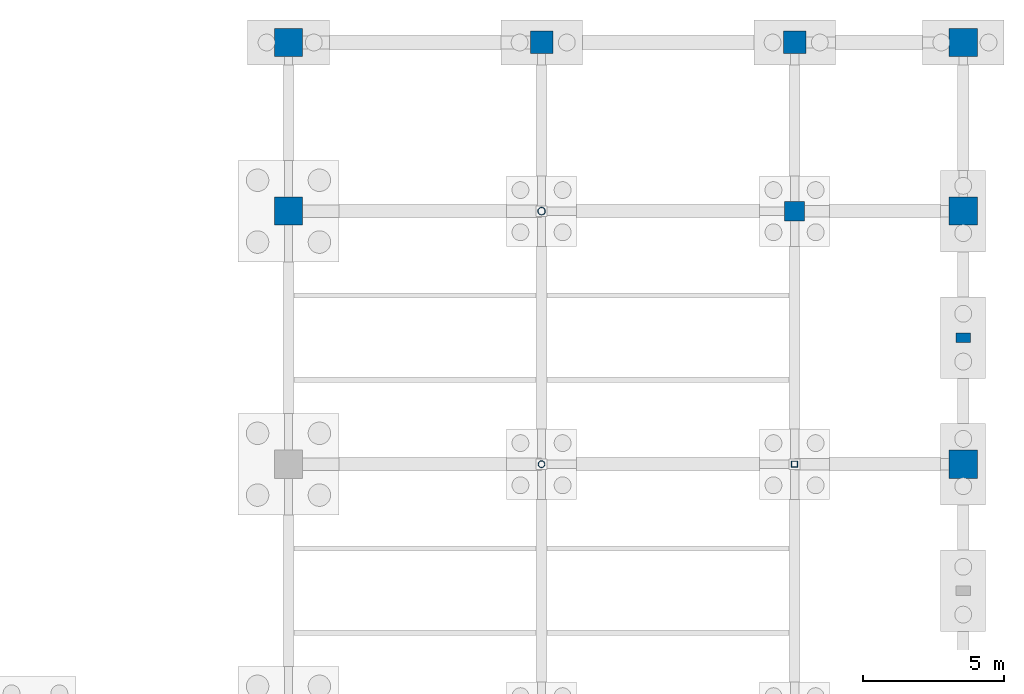
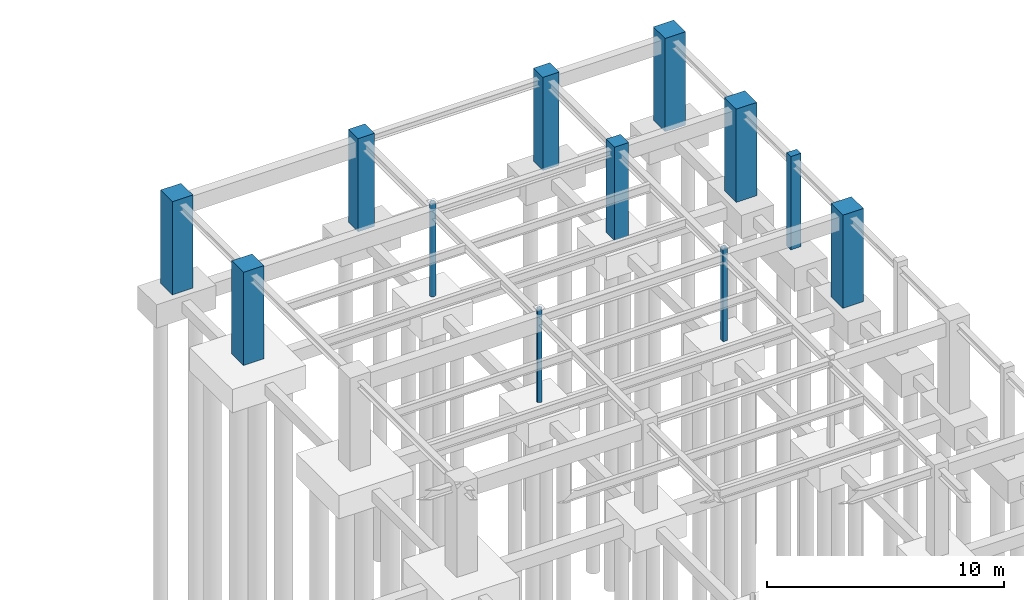
# One storey, part 32 of 49: 12 columns.
"""IFC4 building model written with IfcOpenShell, lengths in metres."""

from ifc_helpers import new_model, si_unit, direction, frame, origin, origin_2d, place, context, subcontext, project, spatial, rectangle, hollow_rectangle, hollow_circle, extrude, material, material_profile, profile_set, type_object, element, save


model = new_model("IFC4")

# Units and contexts
model_context = context("Model", 3, precision=1e-05, world=origin(), true_north=direction((0.0, 1.0)))
body_context = subcontext(model_context, "Body", "Model", "MODEL_VIEW")
ifc_project = project(units=[si_unit("LENGTHUNIT", "METRE"), si_unit("AREAUNIT", "SQUARE_METRE"), si_unit("VOLUMEUNIT", "CUBIC_METRE"), si_unit("PLANEANGLEUNIT", "RADIAN"), si_unit("MASSUNIT", "GRAM", prefix="KILO")], contexts=[model_context])

# Site, building, storey
site_placement = place(None, origin())
site = spatial("IfcSite", under=ifc_project, at=site_placement, CompositionType="ELEMENT")
building_placement = place(site_placement, origin())
building = spatial("IfcBuilding", under=site, at=building_placement, Name="Lykobir Media Centre", CompositionType="ELEMENT")
storey_placement = place(building_placement, frame((0.0, 0.0, -4.800048828125)))
storey = spatial("IfcBuildingStorey", under=building, at=storey_placement, Name="B1", CompositionType="ELEMENT", Elevation=-4.800048828125)

# Columns
ifc_material_1 = material(Name="Honed Travertine Stone", Category="masonry")
ifc_material_profile_1 = material_profile(ifc_material_1, rectangle(XDim=0.35009765625, YDim=0.5, at=origin_2d()), Name="RC PILASTER 500x350")
ifc_profile_set_1 = profile_set([ifc_material_profile_1], Name="Honed Travertine Stone")
column_type_1 = type_object("IfcColumnType", Name="PIL-500", PredefinedType="PILASTER", material=ifc_profile_set_1)
column_1_placement = place(storey_placement, frame((168.0, 103.5, 0.0), z_axis=(0.0, 0.0, 1.0), x_axis=(0.0, 1.0, 0.0)))
element("IfcColumn", 1, at=column_1_placement, inside=storey, type_object=column_type_1, Name="V2 east pilaster B1 103.5", PredefinedType="PILASTER", context=body_context, shape_type="SweptSolid", body=[
    extrude(rectangle(XDim=0.35009765625, YDim=0.5, at=origin_2d()), origin(), (0.0, 0.0, 1.0), 4.800048828125),
])
ifc_material_2 = material(Name="Concrete C40/50", Category="concrete")
ifc_material_profile_2 = material_profile(ifc_material_2, rectangle(XDim=1.0, YDim=1.0, at=origin_2d()), Name="RC 1000x1000")
ifc_profile_set_2 = profile_set([ifc_material_profile_2], Name="Concrete C40/50")
column_type_2 = type_object("IfcColumnType", Name="RC-C1000", PredefinedType="COLUMN", material=ifc_profile_set_2)
column_2_placement = place(storey_placement, frame((144.0, 108.0, 0.0), z_axis=(0.0, 0.0, 1.0), x_axis=(1.0, 0.0, 0.0)))
element("IfcColumn", 2, at=column_2_placement, inside=storey, type_object=column_type_2, Name="Column COL-B1-1440-1080", PredefinedType="COLUMN", context=body_context, shape_type="SweptSolid", body=[
    extrude(rectangle(XDim=1.0, YDim=1.0, at=origin_2d()), origin(), (0.0, 0.0, 1.0), 4.800048828125),
])
ifc_material_profile_3 = material_profile(ifc_material_2, rectangle(XDim=1.0, YDim=1.0, at=origin_2d()), Name="RC 1000x1000")
ifc_profile_set_3 = profile_set([ifc_material_profile_3], Name="Concrete C40/50")
column_type_3 = type_object("IfcColumnType", Name="RC-C1000-E", PredefinedType="COLUMN", material=ifc_profile_set_3)
for number, where, z_axis, x_axis, name in (
    (3, (144.0, 114.0, 0.0), (0.0, 0.0, 1.0), (1.0, 0.0, 0.0), "Column COL-B1-1440-1140"),
    (4, (168.0, 99.0, 0.0), (0.0, 0.0, 1.0), (1.0, 0.0, 0.0), "Column COL-B1-1680-0990"),
    (5, (168.0, 108.0, 0.0), (0.0, 0.0, 1.0), (1.0, 0.0, 0.0), "Column COL-B1-1680-1080"),
    (6, (168.0, 114.0, 0.0), (0.0, 0.0, 1.0), (1.0, 0.0, 0.0), "Column COL-B1-1680-1140"),
):
    element("IfcColumn", number, at=place(storey_placement, frame(where, z_axis=z_axis, x_axis=x_axis)), inside=storey, type_object=column_type_3, Name=name, PredefinedType="COLUMN", context=body_context, shape_type="SweptSolid", body=[
        extrude(rectangle(XDim=1.0, YDim=1.0, at=origin_2d()), origin(), (0.0, 0.0, 1.0), 4.800048828125),
    ])
ifc_material_profile_4 = material_profile(ifc_material_2, rectangle(XDim=0.699951171875, YDim=0.699951171875, at=origin_2d()), Name="RC 700x700")
ifc_profile_set_4 = profile_set([ifc_material_profile_4], Name="Concrete C40/50")
column_type_4 = type_object("IfcColumnType", Name="RC-C700", PredefinedType="COLUMN", material=ifc_profile_set_4)
column_3_placement = place(storey_placement, frame((162.0, 108.0, 0.0), z_axis=(0.0, 0.0, 1.0), x_axis=(1.0, 0.0, 0.0)))
element("IfcColumn", 7, at=column_3_placement, inside=storey, type_object=column_type_4, Name="Column COL-B1-1620-1080", PredefinedType="COLUMN", context=body_context, shape_type="SweptSolid", body=[
    extrude(rectangle(XDim=0.699951171875, YDim=0.699951171875, at=origin_2d()), origin(), (0.0, 0.0, 1.0), 4.800048828125),
])
ifc_material_profile_5 = material_profile(ifc_material_2, rectangle(XDim=0.800048828125, YDim=0.800048828125, at=origin_2d()), Name="RC 800x800")
ifc_profile_set_5 = profile_set([ifc_material_profile_5], Name="Concrete C40/50")
column_type_5 = type_object("IfcColumnType", Name="RC-C800-E", PredefinedType="COLUMN", material=ifc_profile_set_5)
for number, where, z_axis, x_axis, name in (
    (8, (153.0, 114.0, 0.0), (0.0, 0.0, 1.0), (1.0, 0.0, 0.0), "Column COL-B1-1530-1140"),
    (9, (162.0, 114.0, 0.0), (0.0, 0.0, 1.0), (1.0, 0.0, 0.0), "Column COL-B1-1620-1140"),
):
    element("IfcColumn", number, at=place(storey_placement, frame(where, z_axis=z_axis, x_axis=x_axis)), inside=storey, type_object=column_type_5, Name=name, PredefinedType="COLUMN", context=body_context, shape_type="SweptSolid", body=[
        extrude(rectangle(XDim=0.800048828125, YDim=0.800048828125, at=origin_2d()), origin(), (0.0, 0.0, 1.0), 4.800048828125),
    ])
ifc_material_3 = material(Name="Steel S355", Category="steel")
ifc_material_profile_6 = material_profile(ifc_material_3, hollow_circle(Radius=0.122314453125, WallThickness=0.012451171875, at=origin_2d()), Name="CHS 244.5x12.5")
ifc_profile_set_6 = profile_set([ifc_material_profile_6], Name="Steel S355")
column_type_6 = type_object("IfcColumnType", Name="SC-CHS244", PredefinedType="COLUMN", material=ifc_profile_set_6)
column_4_placement = place(storey_placement, frame((153.0, 99.0, 0.0), z_axis=(0.0, 0.0, 1.0), x_axis=(1.0, 0.0, 0.0)))
element("IfcColumn", 10, at=column_4_placement, inside=storey, type_object=column_type_6, Name="Column COL-B1-1530-0990", PredefinedType="COLUMN", context=body_context, shape_type="SweptSolid", body=[
    extrude(hollow_circle(Radius=0.122314453125, WallThickness=0.012451171875, at=origin_2d()), origin(), (0.0, 0.0, 1.0), 4.800048828125),
])
ifc_material_profile_7 = material_profile(ifc_material_3, hollow_circle(Radius=0.136474609375, WallThickness=0.012451171875, at=origin_2d()), Name="CHS 273.0x12.5")
ifc_profile_set_7 = profile_set([ifc_material_profile_7], Name="Steel S355")
column_type_7 = type_object("IfcColumnType", Name="SC-CHS273", PredefinedType="COLUMN", material=ifc_profile_set_7)
column_5_placement = place(storey_placement, frame((153.0, 108.0, 0.0), z_axis=(0.0, 0.0, 1.0), x_axis=(1.0, 0.0, 0.0)))
element("IfcColumn", 11, at=column_5_placement, inside=storey, type_object=column_type_7, Name="Column COL-B1-1530-1080", PredefinedType="COLUMN", context=body_context, shape_type="SweptSolid", body=[
    extrude(hollow_circle(Radius=0.136474609375, WallThickness=0.012451171875, at=origin_2d()), origin(), (0.0, 0.0, 1.0), 4.800048828125),
])
ifc_material_profile_8 = material_profile(ifc_material_3, hollow_rectangle(XDim=0.219970703125, YDim=0.219970703125, WallThickness=0.012451171875, at=origin_2d()), Name="SHS 220x220x12.5")
ifc_profile_set_8 = profile_set([ifc_material_profile_8], Name="Steel S355")
column_type_8 = type_object("IfcColumnType", Name="SC-SHS220", PredefinedType="COLUMN", material=ifc_profile_set_8)
column_6_placement = place(storey_placement, frame((162.0, 99.0, 0.0), z_axis=(0.0, 0.0, 1.0), x_axis=(1.0, 0.0, 0.0)))
element("IfcColumn", 12, at=column_6_placement, inside=storey, type_object=column_type_8, Name="Column COL-B1-1620-0990", PredefinedType="COLUMN", context=body_context, shape_type="SweptSolid", body=[
    extrude(hollow_rectangle(XDim=0.219970703125, YDim=0.219970703125, WallThickness=0.012451171875, at=origin_2d()), origin(), (0.0, 0.0, 1.0), 4.800048828125),
])

save(model, "model.ifc")
